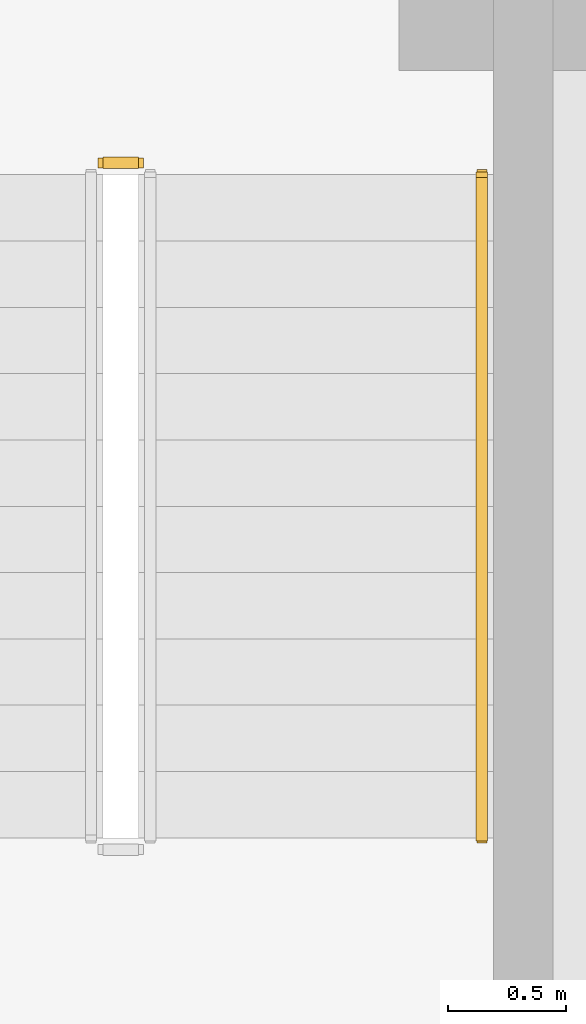
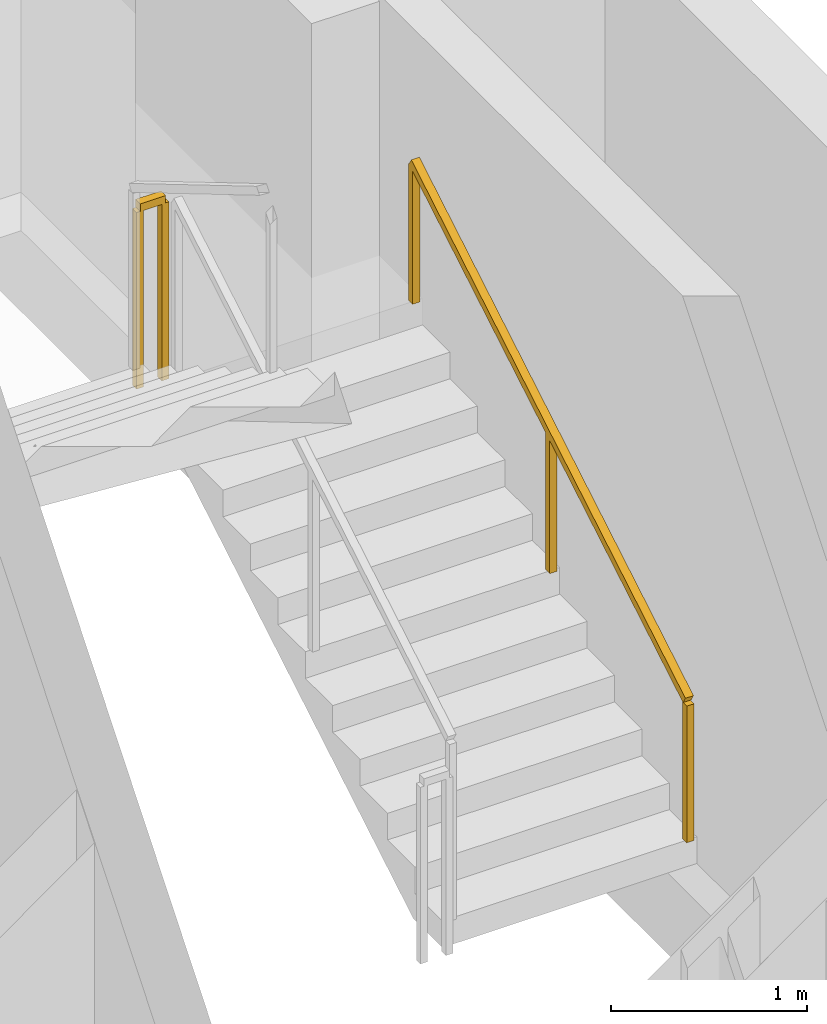
# One storey, part 13 of 13: 2 railings.
"""IFC4 building model written with IfcOpenShell, lengths in metres."""

from ifc_helpers import new_model, si_unit, direction, frame, origin, origin_2d, place, context, subcontext, project, spatial, rectangle, extrude, source, transform, mapped, material, type_object, element, save


model = new_model("IFC4")

# Units and contexts
model_context = context("Model", 3, precision=1e-05, world=origin(), true_north=direction((0.0, 1.0)))
body_context = subcontext(model_context, "Body", "Model", "MODEL_VIEW")
ifc_project = project(units=[si_unit("LENGTHUNIT", "METRE"), si_unit("AREAUNIT", "SQUARE_METRE"), si_unit("VOLUMEUNIT", "CUBIC_METRE"), si_unit("PLANEANGLEUNIT", "RADIAN"), si_unit("MASSUNIT", "GRAM", prefix="KILO")], contexts=[model_context])

# Site, building, storey
site_placement = place(None, origin())
site = spatial("IfcSite", under=ifc_project, at=site_placement, CompositionType="ELEMENT")
building_placement = place(site_placement, origin())
building = spatial("IfcBuilding", under=site, at=building_placement, Name="Vardaveli Station Tower", CompositionType="ELEMENT")
storey_placement = place(building_placement, frame((0.0, 0.0, 45.85009765625)))
storey = spatial("IfcBuildingStorey", under=building, at=storey_placement, Name="L11", CompositionType="ELEMENT", Elevation=45.85009765625)

# Railings
ifc_material = material(Name="Brushed AISI 316 stainless steel", Category="steel")
railing_type_1 = type_object("IfcRailingType", Name="RL-GUARD-1150", PredefinedType="GUARDRAIL", material=ifc_material)
shared_shape_1 = source(origin(), body_context, "Body", "SweptSolid", [
    extrude(rectangle(XDim=0.048095703125, YDim=0.048095703125, at=origin_2d()), frame((0.0, 0.0, 1.1259765625), z_axis=(-1.0, 0.0, 0.0), x_axis=(0.0, -1.0, 0.0)), (0.0, 0.0, 1.0), 0.14990234375),
    extrude(rectangle(XDim=0.0419921875, YDim=0.0419921875, at=origin_2d()), origin(), (0.0, 0.0, 1.0), 1.101806640625),
    extrude(rectangle(XDim=0.0419921875, YDim=0.0419921875, at=origin_2d()), frame((-0.14990234375, 0.0, 0.0)), (0.0, 0.0, 1.0), 1.101806640625),
])
railing_1_placement = place(storey_placement, frame((45.75, 35.25, 1.824951171875)))
element("IfcRailing", 1, at=railing_1_placement, inside=storey, type_object=railing_type_1, Name="L11 ST-3 stair guard 2", PredefinedType="GUARDRAIL", context=body_context, shape_type="MappedRepresentation", body=[
    mapped(shared_shape_1, transform((0.0, 0.0, 0.0), scale=1.0)),
])
railing_type_2 = type_object("IfcRailingType", Name="RL-HAND-900", PredefinedType="HANDRAIL", material=ifc_material)
shared_shape_2 = source(origin(), body_context, "Body", "SweptSolid", [
    extrude(rectangle(XDim=0.048095703125, YDim=0.048095703125, at=origin_2d()), frame((0.0, 0.0, 0.8759765625), z_axis=(0.0, 0.860306154799, 0.50977771628), x_axis=(-1.0, 0.0, 0.0)), (0.0, 0.0, 1.0), 3.254638671875),
    extrude(rectangle(XDim=0.0419921875, YDim=0.0419921875, at=origin_2d()), origin(), (0.0, 0.0, 1.0), 0.851806640625),
    extrude(rectangle(XDim=0.0419921875, YDim=0.0419921875, at=origin_2d()), frame((0.0, 1.39990234375, 0.82958984375)), (0.0, 0.0, 1.0), 0.851806640625),
    extrude(rectangle(XDim=0.0419921875, YDim=0.0419921875, at=origin_2d()), frame((0.0, 2.800048828125, 1.6591796875)), (0.0, 0.0, 1.0), 0.851806640625),
])
railing_2_placement = place(storey_placement, frame((47.199951171875, 32.39990234375, 0.165771484375)))
element("IfcRailing", 2, at=railing_2_placement, inside=storey, type_object=railing_type_2, Name="L11 ST-3 stair handrail 1", PredefinedType="HANDRAIL", context=body_context, shape_type="MappedRepresentation", body=[
    mapped(shared_shape_2, transform((0.0, 0.0, 0.0), scale=1.0)),
])

save(model, "model.ifc")
